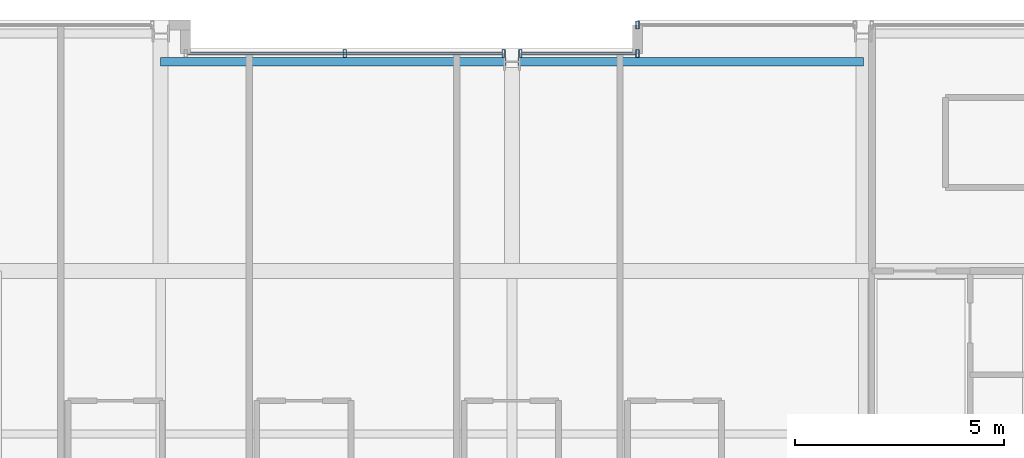
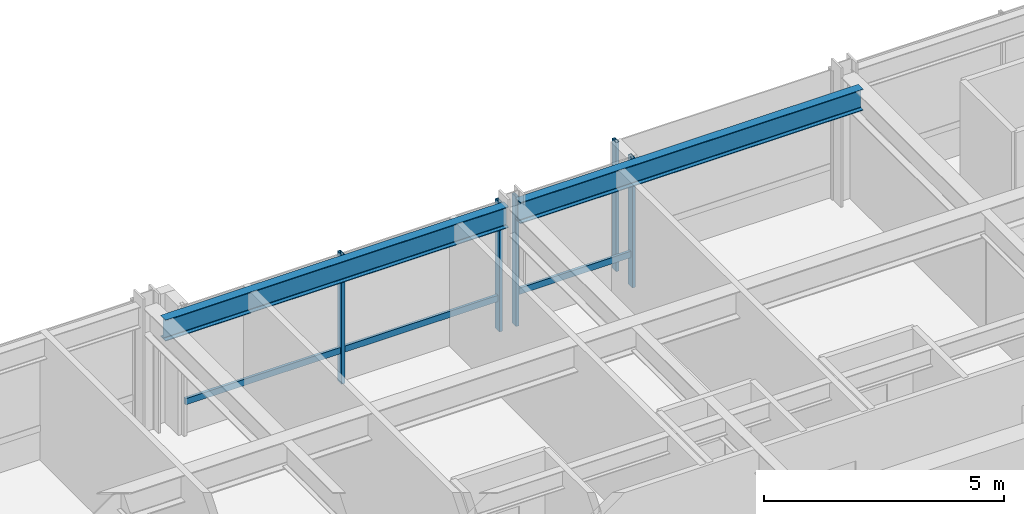
# One storey, part 21 of 32: 7 members, 2 beams, 3 elements without a shape of their own.
"""IFC4 building model written with IfcOpenShell, lengths in metres."""

from ifc_helpers import new_model, si_unit, direction, frame, origin, origin_2d, place, context, subcontext, project, spatial, hollow_rectangle, i_section, extrude, material, layer, layer_set, material_profile, profile_set, type_object, element, aggregate, save


model = new_model("IFC4")

# Units and contexts
model_context = context("Model", 3, precision=1e-05, world=origin(), true_north=direction((0.0, 1.0)))
body_context = subcontext(model_context, "Body", "Model", "MODEL_VIEW")
ifc_project = project(units=[si_unit("LENGTHUNIT", "METRE"), si_unit("AREAUNIT", "SQUARE_METRE"), si_unit("VOLUMEUNIT", "CUBIC_METRE"), si_unit("PLANEANGLEUNIT", "RADIAN"), si_unit("MASSUNIT", "GRAM", prefix="KILO")], contexts=[model_context])

# Site, building, storey
site_placement = place(None, origin())
site = spatial("IfcSite", under=ifc_project, at=site_placement, CompositionType="ELEMENT")
building_placement = place(site_placement, origin())
building = spatial("IfcBuilding", under=site, at=building_placement, Name="Drelvath Grand Hotel", CompositionType="ELEMENT")
storey_placement = place(building_placement, frame((0.0, 0.0, 150.39990234375)))
storey = spatial("IfcBuildingStorey", under=building, at=storey_placement, Name="L38", CompositionType="ELEMENT", Elevation=150.39990234375)

# Curtain wall, member
ifc_material_1 = material(Name="Brushed Pale-Silver Anodised Aluminium Frame", Category="aluminium")
ifc_layer = layer(ifc_material_1, 0.199951171875)
ifc_layer_set = layer_set([ifc_layer], Name="Brushed Pale-Silver Anodised Aluminium Frame")
curtain_wall_type = type_object("IfcCurtainWallType", Name="Stick Curtain Wall CW-04 Brushed Silver Upper-Mid", PredefinedType="NOTDEFINED", material=ifc_layer_set)
curtain_wall_1_placement = place(storey_placement, origin())
curtain_wall_1 = element("IfcCurtainWall", 1, at=curtain_wall_1_placement, inside=storey, type_object=curtain_wall_type, Name="L38 CW-04 Curtain Wall CW04-L38-NM1", PredefinedType="NOTDEFINED")
ifc_material_profile_1 = material_profile(ifc_material_1, hollow_rectangle(XDim=0.06494140625, YDim=0.159912109375, WallThickness=0.00390625, at=origin_2d()), Name="HSS160X65X4")
ifc_profile_set_1 = profile_set([ifc_material_profile_1], Name="Brushed Pale-Silver Anodised Aluminium Frame")
member_type_1 = type_object("IfcMemberType", Name="Curtain Wall Horizontal Transom CW-04 HSS160X65X4", PredefinedType="USERDEFINED", material=ifc_profile_set_1)
member_1_placement = place(storey_placement, frame((-7.760009765625, 48.39990234375, 0.822509765625), z_axis=(1.0, 0.0, 0.0), x_axis=(0.0, 1.0, 0.0)))
member_1 = element("IfcMember", 2, at=member_1_placement, type_object=member_type_1, Name="CW04-L38-NM1 Sill Transom", ObjectType="TRANSOM", PredefinedType="USERDEFINED", context=body_context, shape_type="SweptSolid", body=[
    extrude(hollow_rectangle(XDim=0.06494140625, YDim=0.159912109375, WallThickness=0.00390625, at=origin_2d()), origin(), (0.0, 0.0, 1.0), 7.52001953125),
])

curtain_wall_2_placement = place(storey_placement, origin())
curtain_wall_2 = element("IfcCurtainWall", 3, at=curtain_wall_2_placement, inside=storey, type_object=curtain_wall_type, Name="L38 CW-04 Curtain Wall CW04-L38-NM2", PredefinedType="NOTDEFINED")
member_2_placement = place(storey_placement, frame((0.239990234375, 48.39990234375, 0.822509765625), z_axis=(1.0, 0.0, 0.0), x_axis=(0.0, 1.0, 0.0)))
member_2 = element("IfcMember", 4, at=member_2_placement, type_object=member_type_1, Name="CW04-L38-NM2 Sill Transom", ObjectType="TRANSOM", PredefinedType="USERDEFINED", context=body_context, shape_type="SweptSolid", body=[
    extrude(hollow_rectangle(XDim=0.06494140625, YDim=0.159912109375, WallThickness=0.00390625, at=origin_2d()), origin(), (0.0, 0.0, 1.0), 2.719970703125),
])

# Member
ifc_material_profile_2 = material_profile(ifc_material_1, hollow_rectangle(XDim=0.074951171875, YDim=0.179931640625, WallThickness=0.0048828125, at=origin_2d()), Name="HSS180X75X5")
ifc_profile_set_2 = profile_set([ifc_material_profile_2], Name="Brushed Pale-Silver Anodised Aluminium Frame")
member_type_2 = type_object("IfcMemberType", Name="Curtain Wall Vertical Mullion CW-04 HSS180X75X5", PredefinedType="MULLION", material=ifc_profile_set_2)
member_3_placement = place(storey_placement, frame((-4.0, 48.39990234375, 0.0), z_axis=(0.0, 0.0, 1.0), x_axis=(1.0, 0.0, 0.0)))
member_3 = element("IfcMember", 5, at=member_3_placement, type_object=member_type_2, Name="CW04-L38-NM1 Mullion 2", PredefinedType="MULLION", context=body_context, shape_type="SweptSolid", body=[
    extrude(hollow_rectangle(XDim=0.074951171875, YDim=0.179931640625, WallThickness=0.0048828125, at=origin_2d()), origin(), (0.0, 0.0, 1.0), 3.2900390625),
])

member_4_placement = place(storey_placement, frame((-0.2001953125, 48.39990234375, 0.0), z_axis=(0.0, 0.0, 1.0), x_axis=(1.0, 0.0, 0.0)))
member_4 = element("IfcMember", 6, at=member_4_placement, type_object=member_type_2, Name="CW04-L38-NM1 Mullion 3", PredefinedType="MULLION", context=body_context, shape_type="SweptSolid", body=[
    extrude(hollow_rectangle(XDim=0.074951171875, YDim=0.179931640625, WallThickness=0.0048828125, at=origin_2d()), origin(), (0.0, 0.0, 1.0), 3.2900390625),
])

aggregate(curtain_wall_1, [member_3, member_4, member_1])

member_5_placement = place(storey_placement, frame((0.2001953125, 48.39990234375, 0.0), z_axis=(0.0, 0.0, 1.0), x_axis=(1.0, 0.0, 0.0)))
member_5 = element("IfcMember", 7, at=member_5_placement, type_object=member_type_2, Name="CW04-L38-NM2 Mullion 1", PredefinedType="MULLION", context=body_context, shape_type="SweptSolid", body=[
    extrude(hollow_rectangle(XDim=0.074951171875, YDim=0.179931640625, WallThickness=0.0048828125, at=origin_2d()), origin(), (0.0, 0.0, 1.0), 3.2900390625),
])

member_6_placement = place(storey_placement, frame((3.0, 48.39990234375, 0.0), z_axis=(0.0, 0.0, 1.0), x_axis=(1.0, 0.0, 0.0)))
member_6 = element("IfcMember", 8, at=member_6_placement, type_object=member_type_2, Name="CW04-L38-NM2 Mullion 2", PredefinedType="MULLION", context=body_context, shape_type="SweptSolid", body=[
    extrude(hollow_rectangle(XDim=0.074951171875, YDim=0.179931640625, WallThickness=0.0048828125, at=origin_2d()), origin(), (0.0, 0.0, 1.0), 3.2900390625),
])

aggregate(curtain_wall_2, [member_5, member_6, member_2])

# Curtain wall, member
curtain_wall_3_placement = place(storey_placement, origin())
curtain_wall_3 = element("IfcCurtainWall", 9, at=curtain_wall_3_placement, inside=storey, type_object=curtain_wall_type, Name="L38 CW-04 Curtain Wall CW04-L38-NE1", PredefinedType="NOTDEFINED")
member_7_placement = place(storey_placement, frame((3.0, 49.080078125, 0.0), z_axis=(0.0, 0.0, 1.0), x_axis=(1.0, 0.0, 0.0)))
member_7 = element("IfcMember", 10, at=member_7_placement, type_object=member_type_2, Name="CW04-L38-NE1 Mullion 1", PredefinedType="MULLION", context=body_context, shape_type="SweptSolid", body=[
    extrude(hollow_rectangle(XDim=0.074951171875, YDim=0.179931640625, WallThickness=0.0048828125, at=origin_2d()), origin(), (0.0, 0.0, 1.0), 3.2900390625),
])
aggregate(curtain_wall_3, [member_7])

# Beams
ifc_material_2 = material(Name="Steel ASTM A992 Gr 50", Category="steel")
ifc_material_profile_3 = material_profile(ifc_material_2, i_section(OverallWidth=0.210205078125, OverallDepth=0.53662109375, WebThickness=0.010986328125, FlangeThickness=0.017333984375, FilletRadius=0.01806640625, at=origin_2d()), Name="W21X68")
ifc_profile_set_3 = profile_set([ifc_material_profile_3], Name="Steel ASTM A992 Gr 50")
beam_type = type_object("IfcBeamType", Name="Perimeter Spandrel Beam W21X68", PredefinedType="SPANDREL", material=ifc_profile_set_3)
for number, where, z_axis, x_axis, name in (
    (11, (-8.39990234375, 48.199951171875, 3.021728515625), (1.0, 0.0, 0.0), (0.0, 1.0, 0.0), "L38 Spandrel North Mid W"),
    (12, (0.139892578125, 48.199951171875, 3.021728515625), (1.0, 0.0, 0.0), (0.0, 1.0, 0.0), "L38 Spandrel North Mid E"),
):
    element("IfcBeam", number, at=place(storey_placement, frame(where, z_axis=z_axis, x_axis=x_axis)), inside=storey, type_object=beam_type, Name=name, PredefinedType="SPANDREL", context=body_context, shape_type="SweptSolid", body=[
        extrude(i_section(OverallWidth=0.210205078125, OverallDepth=0.53662109375, WebThickness=0.010986328125, FlangeThickness=0.017333984375, FilletRadius=0.01806640625, at=origin_2d()), origin(), (0.0, 0.0, 1.0), 8.260009765625),
    ])

save(model, "model.ifc")
